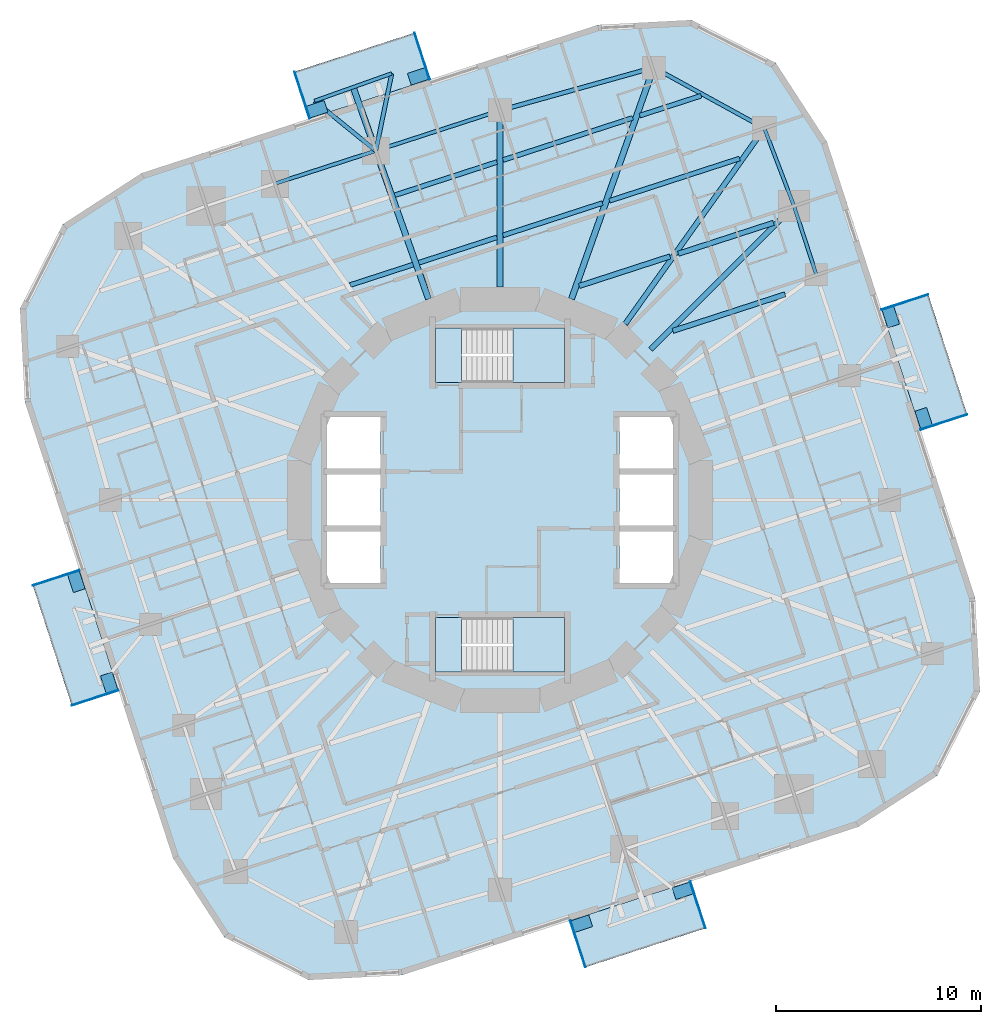
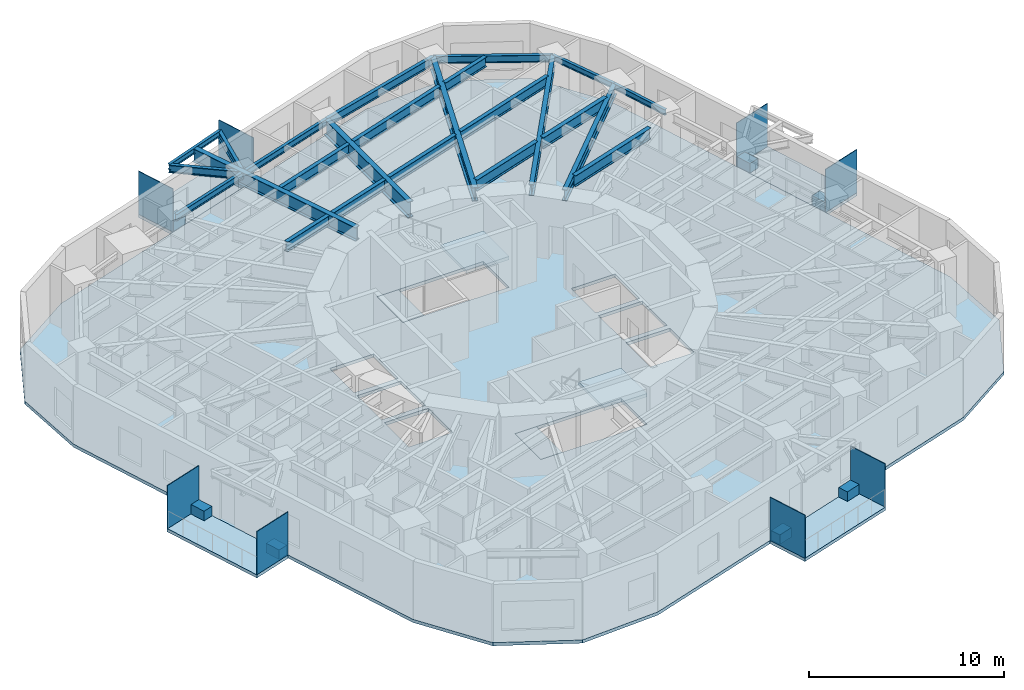
# One storey, part 3 of 13: 24 beams, 16 plates, 9 slabs, 2 elements without a shape of their own.
"""IFC4 building model written with IfcOpenShell, lengths in metres."""

from ifc_helpers import new_model, si_unit, direction, frame, origin, origin_2d, place, context, subcontext, project, spatial, polyline, rectangle, i_section, outline, extrude, material, layer, layer_set, material_profile, profile_set, type_object, element, aggregate, save


model = new_model("IFC4")

# Units and contexts
model_context = context("Model", 3, precision=1e-05, world=origin(), true_north=direction((0.0, 1.0)))
body_context = subcontext(model_context, "Body", "Model", "MODEL_VIEW")
ifc_project = project(units=[si_unit("LENGTHUNIT", "METRE"), si_unit("AREAUNIT", "SQUARE_METRE"), si_unit("VOLUMEUNIT", "CUBIC_METRE"), si_unit("PLANEANGLEUNIT", "RADIAN"), si_unit("MASSUNIT", "GRAM", prefix="KILO")], contexts=[model_context])

# Site, building, storey
site_placement = place(None, origin())
site = spatial("IfcSite", under=ifc_project, at=site_placement, CompositionType="ELEMENT")
building_placement = place(site_placement, origin())
building = spatial("IfcBuilding", under=site, at=building_placement, Name="Nakasero Lantern House", CompositionType="ELEMENT")
storey_placement = place(building_placement, frame((0.0, 0.0, 157.199951171875)))
storey = spatial("IfcBuildingStorey", under=building, at=storey_placement, Name="L38", CompositionType="ELEMENT", Elevation=157.199951171875)

# Beams
ifc_material_1 = material(Name="Steel S355", Category="steel")
ifc_material_profile_1 = material_profile(ifc_material_1, i_section(OverallWidth=0.199462890625, OverallDepth=0.491943359375, WebThickness=0.01806640625, FlangeThickness=0.031982421875, FilletRadius=0.01025390625, at=origin_2d()), Name="UB 457x191x161")
ifc_profile_set_1 = profile_set([ifc_material_profile_1], Name="Steel S355")
beam_type_1 = type_object("IfcBeamType", Name="Balcony splay beam UB 457x191x161", PredefinedType="BEAM", material=ifc_profile_set_1)
for number, where, z_axis, x_axis, name in (
    (1, (-6.06591796875, 17.060546875, 3.404052734375), (-0.774864205236, 0.632127727159, 0.0), (-0.632127727159, -0.774864205236, 0.0), "Balcony splay beam L39 B4-C10A"),
    (2, (-6.06591796875, 17.060546875, 3.404052734375), (0.201831438605, 0.979420272605, 0.0), (-0.979420272605, 0.201831438605, 0.0), "Balcony splay beam L39 B4-C10B"),
):
    element("IfcBeam", number, at=place(storey_placement, frame(where, z_axis=z_axis, x_axis=x_axis)), inside=storey, type_object=beam_type_1, Name=name, PredefinedType="BEAM", context=body_context, shape_type="SweptSolid", body=[
        extrude(i_section(OverallWidth=0.199462890625, OverallDepth=0.491943359375, WebThickness=0.01806640625, FlangeThickness=0.031982421875, FilletRadius=0.01025390625, at=origin_2d()), origin(), (0.0, 0.0, 1.0), 3.858642578125),
    ])
ifc_material_2 = material(Name="Steel S355", Category="steel")
ifc_material_profile_2 = material_profile(ifc_material_2, i_section(OverallWidth=0.17138671875, OverallDepth=0.35498046875, WebThickness=0.00732421875, FlangeThickness=0.011474609375, FilletRadius=0.01025390625, at=origin_2d()), Name="UB 356x171x51")
ifc_profile_set_2 = profile_set([ifc_material_profile_2], Name="Steel S355")
beam_type_2 = type_object("IfcBeamType", Name="Balcony tie beam UB 356x171x51", PredefinedType="BEAM", material=ifc_profile_set_2)
beam_1_placement = place(storey_placement, frame((-9.055908203125, 19.499755859375, 3.47265625), z_axis=(0.942209124415, 0.335025321236, 0.0), x_axis=(-0.335025321236, 0.942209124415, 0.0)))
element("IfcBeam", 3, at=beam_1_placement, inside=storey, type_object=beam_type_2, Name="Balcony tie beam L39 B4-C10", PredefinedType="BEAM", context=body_context, shape_type="SweptSolid", body=[
    extrude(i_section(OverallWidth=0.17138671875, OverallDepth=0.35498046875, WebThickness=0.00732421875, FlangeThickness=0.011474609375, FilletRadius=0.01025390625, at=origin_2d()), origin(), (0.0, 0.0, 1.0), 4.0),
])
ifc_material_3 = material(Name="Steel S355", Category="steel")
ifc_material_profile_3 = material_profile(ifc_material_3, i_section(OverallWidth=0.22900390625, OverallDepth=0.6123046875, WebThickness=0.011962890625, FlangeThickness=0.01953125, FilletRadius=0.0126953125, at=origin_2d()), Name="UB 610x229x125")
ifc_profile_set_3 = profile_set([ifc_material_profile_3], Name="Steel S355")
beam_type_3 = type_object("IfcBeamType", Name="Infill beam UB 610x229x125", PredefinedType="JOIST", material=ifc_profile_set_3)
beam_2_placement = place(storey_placement, frame((-7.31396484375, 10.50390625, 3.343994140625), z_axis=(0.951054080044, 0.309024492283, 0.0), x_axis=(-0.309024492283, 0.951054080044, 0.0)))
element("IfcBeam", 4, at=beam_2_placement, inside=storey, type_object=beam_type_3, Name="Infill beam L39 11.5", PredefinedType="JOIST", context=body_context, shape_type="SweptSolid", body=[
    extrude(i_section(OverallWidth=0.22900390625, OverallDepth=0.6123046875, WebThickness=0.011962890625, FlangeThickness=0.01953125, FilletRadius=0.0126953125, at=origin_2d()), origin(), (0.0, 0.0, 1.0), 3.227294921875),
])
beam_3_placement = place(storey_placement, frame((-3.96630859375, 11.591796875, 3.343994140625), z_axis=(0.95105910343, 0.309009031878, 0.0), x_axis=(-0.309009031878, 0.95105910343, 0.0)))
element("IfcBeam", 5, at=beam_3_placement, inside=storey, type_object=beam_type_3, Name="Infill beam L39 11.6", PredefinedType="JOIST", context=body_context, shape_type="SweptSolid", body=[
    extrude(i_section(OverallWidth=0.22900390625, OverallDepth=0.6123046875, WebThickness=0.011962890625, FlangeThickness=0.01953125, FilletRadius=0.0126953125, at=origin_2d()), origin(), (0.0, 0.0, 1.0), 4.0126953125),
])
beam_4_placement = place(storey_placement, frame((0.14990234375, 12.92919921875, 3.343994140625), z_axis=(0.951057977144, 0.309012498309, 0.0), x_axis=(-0.309012498309, 0.951057977144, 0.0)))
element("IfcBeam", 6, at=beam_4_placement, inside=storey, type_object=beam_type_3, Name="Infill beam L39 11.7", PredefinedType="JOIST", context=body_context, shape_type="SweptSolid", body=[
    extrude(i_section(OverallWidth=0.22900390625, OverallDepth=0.6123046875, WebThickness=0.011962890625, FlangeThickness=0.01953125, FilletRadius=0.0126953125, at=origin_2d()), origin(), (0.0, 0.0, 1.0), 5.102294921875),
])
beam_5_placement = place(storey_placement, frame((5.353271484375, 14.619873046875, 3.343994140625), z_axis=(0.951056080098, 0.30901833685, 0.0), x_axis=(-0.30901833685, 0.951056080098, 0.0)))
element("IfcBeam", 7, at=beam_5_placement, inside=storey, type_object=beam_type_3, Name="Infill beam L39 11.8", PredefinedType="JOIST", context=body_context, shape_type="SweptSolid", body=[
    extrude(i_section(OverallWidth=0.22900390625, OverallDepth=0.6123046875, WebThickness=0.011962890625, FlangeThickness=0.01953125, FilletRadius=0.0126953125, at=origin_2d()), origin(), (0.0, 0.0, 1.0), 6.68310546875),
])
beam_6_placement = place(storey_placement, frame((-5.139404296875, 14.890625, 3.343994140625), z_axis=(0.951061765699, 0.309000837904, 0.0), x_axis=(-0.309000837904, 0.951061765699, 0.0)))
element("IfcBeam", 8, at=beam_6_placement, inside=storey, type_object=beam_type_3, Name="Infill beam L39 12.5", PredefinedType="JOIST", context=body_context, shape_type="SweptSolid", body=[
    extrude(i_section(OverallWidth=0.22900390625, OverallDepth=0.6123046875, WebThickness=0.011962890625, FlangeThickness=0.01953125, FilletRadius=0.0126953125, at=origin_2d()), origin(), (0.0, 0.0, 1.0), 5.246337890625),
])
beam_7_placement = place(storey_placement, frame((0.14990234375, 16.609375, 3.343994140625), z_axis=(0.951068556075, 0.308979937287, 0.0), x_axis=(-0.308979937287, 0.951068556075, 0.0)))
element("IfcBeam", 9, at=beam_7_placement, inside=storey, type_object=beam_type_3, Name="Infill beam L39 12.6", PredefinedType="JOIST", context=body_context, shape_type="SweptSolid", body=[
    extrude(i_section(OverallWidth=0.22900390625, OverallDepth=0.6123046875, WebThickness=0.011962890625, FlangeThickness=0.01953125, FilletRadius=0.0126953125, at=origin_2d()), origin(), (0.0, 0.0, 1.0), 6.65771484375),
])
beam_8_placement = place(storey_placement, frame((6.832763671875, 18.780517578125, 3.343994140625), z_axis=(0.951054602662, 0.309022883872, 0.0), x_axis=(-0.309022883872, 0.951054602662, 0.0)))
element("IfcBeam", 10, at=beam_8_placement, inside=storey, type_object=beam_type_3, Name="Infill beam L39 12.7", PredefinedType="JOIST", context=body_context, shape_type="SweptSolid", body=[
    extrude(i_section(OverallWidth=0.22900390625, OverallDepth=0.6123046875, WebThickness=0.011962890625, FlangeThickness=0.01953125, FilletRadius=0.0126953125, at=origin_2d()), origin(), (0.0, 0.0, 1.0), 3.145263671875),
])
ifc_material_4 = material(Name="Steel S355", Category="steel")
ifc_material_profile_4 = material_profile(ifc_material_4, i_section(OverallWidth=0.253662109375, OverallDepth=0.68359375, WebThickness=0.012451171875, FlangeThickness=0.01904296875, FilletRadius=0.01513671875, at=origin_2d()), Name="UB 686x254x140")
ifc_profile_set_4 = profile_set([ifc_material_profile_4], Name="Steel S355")
beam_type_4 = type_object("IfcBeamType", Name="Infill beam UB 686x254x140", PredefinedType="JOIST", material=ifc_profile_set_4)
beam_9_placement = place(storey_placement, frame((8.44287109375, 8.263427734375, 3.308349609375), z_axis=(0.951055211673, 0.309021009559, 0.0), x_axis=(-0.309021009559, 0.951055211673, 0.0)))
element("IfcBeam", 11, at=beam_9_placement, inside=storey, type_object=beam_type_4, Name="Infill beam L39 09.2", PredefinedType="JOIST", context=body_context, shape_type="SweptSolid", body=[
    extrude(i_section(OverallWidth=0.253662109375, OverallDepth=0.68359375, WebThickness=0.012451171875, FlangeThickness=0.01904296875, FilletRadius=0.01513671875, at=origin_2d()), origin(), (0.0, 0.0, 1.0), 5.769775390625),
])
beam_10_placement = place(storey_placement, frame((3.8740234375, 10.458984375, 3.308349609375), z_axis=(0.95106063111, 0.309004329989, 0.0), x_axis=(-0.309004329989, 0.95106063111, 0.0)))
element("IfcBeam", 12, at=beam_10_placement, inside=storey, type_object=beam_type_4, Name="Infill beam L39 10.3", PredefinedType="JOIST", context=body_context, shape_type="SweptSolid", body=[
    extrude(i_section(OverallWidth=0.253662109375, OverallDepth=0.68359375, WebThickness=0.012451171875, FlangeThickness=0.01904296875, FilletRadius=0.01513671875, at=origin_2d()), origin(), (0.0, 0.0, 1.0), 4.659912109375),
])
beam_11_placement = place(storey_placement, frame((8.710693359375, 12.030517578125, 3.308349609375), z_axis=(0.951061574069, 0.309001427713, 0.0), x_axis=(-0.309001427713, 0.951061574069, 0.0)))
element("IfcBeam", 13, at=beam_11_placement, inside=storey, type_object=beam_type_4, Name="Infill beam L39 10.4", PredefinedType="JOIST", context=body_context, shape_type="SweptSolid", body=[
    extrude(i_section(OverallWidth=0.253662109375, OverallDepth=0.68359375, WebThickness=0.012451171875, FlangeThickness=0.01904296875, FilletRadius=0.01513671875, at=origin_2d()), origin(), (0.0, 0.0, 1.0), 4.8916015625),
])
ifc_material_5 = material(Name="Steel S355", Category="steel")
ifc_material_profile_5 = material_profile(ifc_material_5, i_section(OverallWidth=0.300048828125, OverallDepth=0.989990234375, WebThickness=0.0166015625, FlangeThickness=0.031005859375, FilletRadius=0.030029296875, at=origin_2d()), Name="UB 1016x305x272")
ifc_profile_set_5 = profile_set([ifc_material_profile_5], Name="Steel S355")
beam_type_5 = type_object("IfcBeamType", Name="Primary beam UB 1016x305x272, span 6 to 9 m", PredefinedType="BEAM", material=ifc_profile_set_5)
beam_12_placement = place(storey_placement, frame((0.0, 19.031494140625, 3.155029296875), z_axis=(0.0, -1.0, 0.0), x_axis=(1.0, 0.0, 0.0)))
element("IfcBeam", 14, at=beam_12_placement, inside=storey, type_object=beam_type_5, Name="Primary beam L39 B4-C09", PredefinedType="BEAM", context=body_context, shape_type="SweptSolid", body=[
    extrude(i_section(OverallWidth=0.300048828125, OverallDepth=0.989990234375, WebThickness=0.0166015625, FlangeThickness=0.031005859375, FilletRadius=0.030029296875, at=origin_2d()), origin(), (0.0, 0.0, 1.0), 8.62353515625),
])
ifc_material_6 = material(Name="Steel S355", Category="steel")
ifc_material_profile_6 = material_profile(ifc_material_6, i_section(OverallWidth=0.253662109375, OverallDepth=0.68359375, WebThickness=0.012451171875, FlangeThickness=0.01904296875, FilletRadius=0.01513671875, at=origin_2d()), Name="UB 686x254x140")
ifc_profile_set_6 = profile_set([ifc_material_profile_6], Name="Steel S355")
beam_type_6 = type_object("IfcBeamType", Name="Primary beam UB 686x254x140, span 9 to 12 m", PredefinedType="BEAM", material=ifc_profile_set_6)
beam_13_placement = place(storey_placement, frame((14.3642578125, 14.3642578125, 3.308349609375), z_axis=(-0.707106781187, -0.707106781187, 0.0), x_axis=(0.707106781187, -0.707106781187, 0.0)))
element("IfcBeam", 15, at=beam_13_placement, inside=storey, type_object=beam_type_6, Name="Primary beam L39 B4-C06", PredefinedType="BEAM", context=body_context, shape_type="SweptSolid", body=[
    extrude(i_section(OverallWidth=0.253662109375, OverallDepth=0.68359375, WebThickness=0.012451171875, FlangeThickness=0.01904296875, FilletRadius=0.01513671875, at=origin_2d()), origin(), (0.0, 0.0, 1.0), 9.906494140625),
])
beam_14_placement = place(storey_placement, frame((12.916015625, 18.1630859375, 3.308349609375), z_axis=(-0.579530236062, -0.814950738075, 0.0), x_axis=(0.814950738075, -0.579530236062, 0.0)))
element("IfcBeam", 16, at=beam_14_placement, inside=storey, type_object=beam_type_6, Name="Primary beam L39 B4-C07", PredefinedType="BEAM", context=body_context, shape_type="SweptSolid", body=[
    extrude(i_section(OverallWidth=0.253662109375, OverallDepth=0.68359375, WebThickness=0.012451171875, FlangeThickness=0.01904296875, FilletRadius=0.01513671875, at=origin_2d()), origin(), (0.0, 0.0, 1.0), 11.73193359375),
])
ifc_material_7 = material(Name="Steel S355", Category="steel")
ifc_material_profile_7 = material_profile(ifc_material_7, i_section(OverallWidth=0.29248046875, OverallDepth=0.8408203125, WebThickness=0.0146484375, FlangeThickness=0.02685546875, FilletRadius=0.017822265625, at=origin_2d()), Name="UB 838x292x194")
ifc_profile_set_7 = profile_set([ifc_material_profile_7], Name="Steel S355")
beam_type_7 = type_object("IfcBeamType", Name="Primary beam UB 838x292x194, span 12 to 15 m", PredefinedType="BEAM", material=ifc_profile_set_7)
beam_15_placement = place(storey_placement, frame((7.5126953125, 21.129638671875, 3.229736328125), z_axis=(-0.335012877559, -0.942213548974, 0.0), x_axis=(0.942213548974, -0.335012877559, 0.0)))
element("IfcBeam", 17, at=beam_15_placement, inside=storey, type_object=beam_type_7, Name="Primary beam L39 B4-C08", PredefinedType="BEAM", context=body_context, shape_type="SweptSolid", body=[
    extrude(i_section(OverallWidth=0.29248046875, OverallDepth=0.8408203125, WebThickness=0.0146484375, FlangeThickness=0.02685546875, FilletRadius=0.017822265625, at=origin_2d()), origin(), (0.0, 0.0, 1.0), 12.00390625),
])
ifc_material_8 = material(Name="Steel S355", Category="steel")
ifc_material_profile_8 = material_profile(ifc_material_8, i_section(OverallWidth=0.29248046875, OverallDepth=0.8408203125, WebThickness=0.0146484375, FlangeThickness=0.02685546875, FilletRadius=0.017822265625, at=origin_2d()), Name="UB 838x292x194")
ifc_profile_set_8 = profile_set([ifc_material_profile_8], Name="Steel S355")
beam_type_8 = type_object("IfcBeamType", Name="Primary beam UB 838x292x194, span 6 to 9 m", PredefinedType="BEAM", material=ifc_profile_set_8)
beam_16_placement = place(storey_placement, frame((-7.17138671875, 20.169921875, 3.229736328125), z_axis=(0.335007036998, -0.942215625619, 0.0), x_axis=(0.942215625619, 0.335007036998, 0.0)))
element("IfcBeam", 18, at=beam_16_placement, inside=storey, type_object=beam_type_8, Name="Primary beam L39 B4-C10", PredefinedType="BEAM", context=body_context, shape_type="SweptSolid", body=[
    extrude(i_section(OverallWidth=0.29248046875, OverallDepth=0.8408203125, WebThickness=0.0146484375, FlangeThickness=0.02685546875, FilletRadius=0.017822265625, at=origin_2d()), origin(), (0.0, 0.0, 1.0), 10.9853515625),
])
ifc_material_9 = material(Name="Steel S355", Category="steel")
ifc_material_profile_9 = material_profile(ifc_material_9, i_section(OverallWidth=0.17138671875, OverallDepth=0.35498046875, WebThickness=0.00732421875, FlangeThickness=0.011474609375, FilletRadius=0.01025390625, at=origin_2d()), Name="UB 356x171x51")
ifc_profile_set_9 = profile_set([ifc_material_profile_9], Name="Steel S355")
beam_type_9 = type_object("IfcBeamType", Name="Ring beam UB 356x171x51", PredefinedType="BEAM", material=ifc_profile_set_9)
beam_17_placement = place(storey_placement, frame((15.45947265625, 10.993408203125, 3.47265625), z_axis=(-0.309006636447, 0.951059881727, 0.0), x_axis=(-0.951059881727, -0.309006636447, 0.0)))
element("IfcBeam", 19, at=beam_17_placement, inside=storey, type_object=beam_type_9, Name="Ring beam L39 B4-C05", PredefinedType="BEAM", context=body_context, shape_type="SweptSolid", body=[
    extrude(i_section(OverallWidth=0.17138671875, OverallDepth=0.35498046875, WebThickness=0.00732421875, FlangeThickness=0.011474609375, FilletRadius=0.01025390625, at=origin_2d()), origin(), (0.0, 0.0, 1.0), 3.544189453125),
])
beam_18_placement = place(storey_placement, frame((14.3642578125, 14.3642578125, 3.47265625), z_axis=(-0.35622505813, 0.934400186194, 0.0), x_axis=(-0.934400186194, -0.35622505813, 0.0)))
element("IfcBeam", 20, at=beam_18_placement, inside=storey, type_object=beam_type_9, Name="Ring beam L39 B4-C06", PredefinedType="BEAM", context=body_context, shape_type="SweptSolid", body=[
    extrude(i_section(OverallWidth=0.17138671875, OverallDepth=0.35498046875, WebThickness=0.00732421875, FlangeThickness=0.011474609375, FilletRadius=0.01025390625, at=origin_2d()), origin(), (0.0, 0.0, 1.0), 4.0654296875),
])
ifc_material_10 = material(Name="Steel S355", Category="steel")
ifc_material_profile_10 = material_profile(ifc_material_10, i_section(OverallWidth=0.177978515625, OverallDepth=0.406494140625, WebThickness=0.0078125, FlangeThickness=0.0126953125, FilletRadius=0.01025390625, at=origin_2d()), Name="UB 406x178x60")
ifc_profile_set_10 = profile_set([ifc_material_profile_10], Name="Steel S355")
beam_type_10 = type_object("IfcBeamType", Name="Ring beam UB 406x178x60", PredefinedType="BEAM", material=ifc_profile_set_10)
beam_19_placement = place(storey_placement, frame((-6.06591796875, 17.060546875, 3.44677734375), z_axis=(-0.95105449754, -0.309023207396, 0.0), x_axis=(0.309023207396, -0.95105449754, 0.0)))
element("IfcBeam", 21, at=beam_19_placement, inside=storey, type_object=beam_type_10, Name="Ring beam L39 B4-C10", PredefinedType="BEAM", context=body_context, shape_type="SweptSolid", body=[
    extrude(i_section(OverallWidth=0.177978515625, OverallDepth=0.406494140625, WebThickness=0.0078125, FlangeThickness=0.0126953125, FilletRadius=0.01025390625, at=origin_2d()), origin(), (0.0, 0.0, 1.0), 5.18115234375),
])
ifc_material_11 = material(Name="Steel S355", Category="steel")
ifc_material_profile_11 = material_profile(ifc_material_11, i_section(OverallWidth=0.179443359375, OverallDepth=0.412841796875, WebThickness=0.009521484375, FlangeThickness=0.01611328125, FilletRadius=0.01025390625, at=origin_2d()), Name="UB 406x178x74")
ifc_profile_set_11 = profile_set([ifc_material_profile_11], Name="Steel S355")
beam_type_11 = type_object("IfcBeamType", Name="Ring beam UB 406x178x74", PredefinedType="BEAM", material=ifc_profile_set_11)
beam_20_placement = place(storey_placement, frame((0.0, 19.031494140625, 3.443603515625), z_axis=(-0.951056007502, -0.309018560274, 0.0), x_axis=(0.309018560274, -0.951056007502, 0.0)))
element("IfcBeam", 22, at=beam_20_placement, inside=storey, type_object=beam_type_11, Name="Ring beam L39 B4-C09", PredefinedType="BEAM", context=body_context, shape_type="SweptSolid", body=[
    extrude(i_section(OverallWidth=0.179443359375, OverallDepth=0.412841796875, WebThickness=0.009521484375, FlangeThickness=0.01611328125, FilletRadius=0.01025390625, at=origin_2d()), origin(), (0.0, 0.0, 1.0), 6.378173828125),
])
ifc_material_12 = material(Name="Steel S355", Category="steel")
ifc_material_profile_12 = material_profile(ifc_material_12, i_section(OverallWidth=0.18994140625, OverallDepth=0.453369140625, WebThickness=0.008544921875, FlangeThickness=0.0126953125, FilletRadius=0.01025390625, at=origin_2d()), Name="UB 457x191x67")
ifc_profile_set_12 = profile_set([ifc_material_profile_12], Name="Steel S355")
beam_type_12 = type_object("IfcBeamType", Name="Ring beam UB 457x191x67", PredefinedType="BEAM", material=ifc_profile_set_12)
beam_21_placement = place(storey_placement, frame((12.916015625, 18.1630859375, 3.42333984375), z_axis=(-0.876576912681, 0.481261795861, 0.0), x_axis=(-0.481261795861, -0.876576912681, 0.0)))
element("IfcBeam", 23, at=beam_21_placement, inside=storey, type_object=beam_type_12, Name="Ring beam L39 B4-C07", PredefinedType="BEAM", context=body_context, shape_type="SweptSolid", body=[
    extrude(i_section(OverallWidth=0.18994140625, OverallDepth=0.453369140625, WebThickness=0.008544921875, FlangeThickness=0.0126953125, FilletRadius=0.01025390625, at=origin_2d()), origin(), (0.0, 0.0, 1.0), 6.1640625),
])
ifc_material_13 = material(Name="Steel S355", Category="steel")
ifc_material_profile_13 = material_profile(ifc_material_13, i_section(OverallWidth=0.208740234375, OverallDepth=0.5283203125, WebThickness=0.009521484375, FlangeThickness=0.01318359375, FilletRadius=0.0126953125, at=origin_2d()), Name="UB 533x210x82")
ifc_profile_set_13 = profile_set([ifc_material_profile_13], Name="Steel S355")
beam_type_13 = type_object("IfcBeamType", Name="Ring beam UB 533x210x82", PredefinedType="BEAM", material=ifc_profile_set_13)
beam_22_placement = place(storey_placement, frame((7.5126953125, 21.129638671875, 3.385986328125), z_axis=(-0.963143892339, -0.268986696047, 0.0), x_axis=(0.268986696047, -0.963143892339, 0.0)))
element("IfcBeam", 24, at=beam_22_placement, inside=storey, type_object=beam_type_13, Name="Ring beam L39 B4-C08", PredefinedType="BEAM", context=body_context, shape_type="SweptSolid", body=[
    extrude(i_section(OverallWidth=0.208740234375, OverallDepth=0.5283203125, WebThickness=0.009521484375, FlangeThickness=0.01318359375, FilletRadius=0.0126953125, at=origin_2d()), origin(), (0.0, 0.0, 1.0), 7.80029296875),
])

# Plates
ifc_material_14 = material(Name="Aluminium 6063-T6", Category="aluminium")
ifc_layer_1 = layer(ifc_material_14, 0.60009765625)
ifc_layer_set_1 = layer_set([ifc_layer_1], Name="Balcony planter 600x900")
plate_type_1 = type_object("IfcPlateType", Name="Balcony planter 600x900", PredefinedType="USERDEFINED", material=ifc_layer_set_1)
for number, where, z_axis, x_axis, name in (
    (25, (20.696533203125, 4.00146484375, 0.0), (0.0, 0.0, 1.0), (0.951056516295, 0.309016994375, 0.0), "Balcony PLANTER L38 BAL0A"),
    (26, (19.095703125, 8.927978515625, 0.0), (0.0, 0.0, 1.0), (0.951056516295, 0.309016994375, 0.0), "Balcony PLANTER L38 BAL0B"),
    (27, (-4.00146484375, 20.696533203125, 0.0), (0.0, 0.0, 1.0), (-0.309016994375, 0.951056516295, 0.0), "Balcony PLANTER L38 BAL1A"),
    (28, (-8.927978515625, 19.095703125, 0.0), (0.0, 0.0, 1.0), (-0.309016994375, 0.951056516295, 0.0), "Balcony PLANTER L38 BAL1B"),
    (29, (-20.696533203125, -4.00146484375, 0.0), (0.0, 0.0, 1.0), (-0.951056516295, -0.309016994375, 0.0), "Balcony PLANTER L38 BAL2A"),
    (30, (-19.095703125, -8.927978515625, 0.0), (0.0, 0.0, 1.0), (-0.951056516295, -0.309016994375, 0.0), "Balcony PLANTER L38 BAL2B"),
    (31, (4.00146484375, -20.696533203125, 0.0), (0.0, 0.0, 1.0), (0.309016994375, -0.951056516295, 0.0), "Balcony PLANTER L38 BAL3A"),
    (32, (8.927978515625, -19.095703125, 0.0), (0.0, 0.0, 1.0), (0.309016994375, -0.951056516295, 0.0), "Balcony PLANTER L38 BAL3B"),
):
    element("IfcPlate", number, at=place(storey_placement, frame(where, z_axis=z_axis, x_axis=x_axis)), inside=storey, type_object=plate_type_1, Name=name, ObjectType="PLANTER", PredefinedType="USERDEFINED", context=body_context, shape_type="SweptSolid", body=[
        extrude(rectangle(XDim=0.60009765625, YDim=0.89990234375, at=origin_2d()), origin(), (0.0, 0.0, 1.0), 0.60009765625),
    ])
ifc_material_15 = material(Name="Aluminium 6063-T6", Category="aluminium")
ifc_layer_2 = layer(ifc_material_15, 0.0400390625)
ifc_layer_set_2 = layer_set([ifc_layer_2], Name="Balcony screen 2400x2700")
plate_type_2 = type_object("IfcPlateType", Name="Balcony screen 2400x2700", PredefinedType="SHEET", material=ifc_layer_set_2)
for number, where, z_axis, x_axis, name in (
    (33, (21.684814453125, 3.807373046875, 0.0), (0.0, 0.0, 1.0), (0.951056516295, 0.309016994375, 0.0), "Balcony SCREEN L38 BAL0A"),
    (34, (19.78125, 9.665771484375, 0.0), (0.0, 0.0, 1.0), (0.951056516295, 0.309016994375, 0.0), "Balcony SCREEN L38 BAL0B"),
    (35, (-3.807373046875, 21.684814453125, 0.0), (0.0, 0.0, 1.0), (-0.309016994375, 0.951056516295, 0.0), "Balcony SCREEN L38 BAL1A"),
    (36, (-9.665771484375, 19.78125, 0.0), (0.0, 0.0, 1.0), (-0.309016994375, 0.951056516295, 0.0), "Balcony SCREEN L38 BAL1B"),
    (37, (-21.684814453125, -3.807373046875, 0.0), (0.0, 0.0, 1.0), (-0.951056516295, -0.309016994375, 0.0), "Balcony SCREEN L38 BAL2A"),
    (38, (-19.78125, -9.665771484375, 0.0), (0.0, 0.0, 1.0), (-0.951056516295, -0.309016994375, 0.0), "Balcony SCREEN L38 BAL2B"),
    (39, (3.807373046875, -21.684814453125, 0.0), (0.0, 0.0, 1.0), (0.309016994375, -0.951056516295, 0.0), "Balcony SCREEN L38 BAL3A"),
    (40, (9.665771484375, -19.78125, 0.0), (0.0, 0.0, 1.0), (0.309016994375, -0.951056516295, 0.0), "Balcony SCREEN L38 BAL3B"),
):
    element("IfcPlate", number, at=place(storey_placement, frame(where, z_axis=z_axis, x_axis=x_axis)), inside=storey, type_object=plate_type_2, Name=name, PredefinedType="SHEET", context=body_context, shape_type="SweptSolid", body=[
        extrude(rectangle(XDim=2.39990234375, YDim=0.0400390625, at=origin_2d()), origin(), (0.0, 0.0, 1.0), 2.699951171875),
    ])

# Slabs
ifc_material_16 = material(Name="Concrete C35/45", Category="concrete")
ifc_layer_3 = layer(ifc_material_16, 0.199951171875)
ifc_layer_set_3 = layer_set([ifc_layer_3], Name="Balcony slab 200")
slab_type_1 = type_object("IfcSlabType", Name="Balcony slab 200", PredefinedType="USERDEFINED", material=ifc_layer_set_3)
slab_1_placement = place(storey_placement, frame((0.0, 0.0, -0.199951171875)))
element("IfcSlab", 41, at=slab_1_placement, inside=storey, type_object=slab_type_1, Name="Balcony L38 BAL0", ObjectType="BALCONY", PredefinedType="USERDEFINED", context=body_context, shape_type="SweptSolid", body=[
    extrude(outline(polyline([(20.5498046875, 3.41748046875), (22.832275390625, 4.1591796875), (20.916259765625, 10.0556640625), (18.6337890625, 9.31396484375), (20.5498046875, 3.41748046875)])), origin(), (0.0, 0.0, 1.0), 0.199951171875),
])
slab_2_placement = place(storey_placement, frame((0.0, 0.0, -0.199951171875)))
element("IfcSlab", 42, at=slab_2_placement, inside=storey, type_object=slab_type_1, Name="Balcony L38 BAL1", ObjectType="BALCONY", PredefinedType="USERDEFINED", context=body_context, shape_type="SweptSolid", body=[
    extrude(outline(polyline([(-3.41748046875, 20.5498046875), (-4.1591796875, 22.832275390625), (-10.0556640625, 20.916259765625), (-9.31396484375, 18.6337890625), (-3.41748046875, 20.5498046875)])), origin(), (0.0, 0.0, 1.0), 0.199951171875),
])
slab_3_placement = place(storey_placement, frame((0.0, 0.0, -0.199951171875)))
element("IfcSlab", 43, at=slab_3_placement, inside=storey, type_object=slab_type_1, Name="Balcony L38 BAL2", ObjectType="BALCONY", PredefinedType="USERDEFINED", context=body_context, shape_type="SweptSolid", body=[
    extrude(outline(polyline([(-20.5498046875, -3.41748046875), (-22.832275390625, -4.1591796875), (-20.916259765625, -10.0556640625), (-18.6337890625, -9.31396484375), (-20.5498046875, -3.41748046875)])), origin(), (0.0, 0.0, 1.0), 0.199951171875),
])
slab_4_placement = place(storey_placement, frame((0.0, 0.0, -0.199951171875)))
element("IfcSlab", 44, at=slab_4_placement, inside=storey, type_object=slab_type_1, Name="Balcony L38 BAL3", ObjectType="BALCONY", PredefinedType="USERDEFINED", context=body_context, shape_type="SweptSolid", body=[
    extrude(outline(polyline([(3.41748046875, -20.5498046875), (4.1591796875, -22.832275390625), (10.0556640625, -20.916259765625), (9.31396484375, -18.6337890625), (3.41748046875, -20.5498046875)])), origin(), (0.0, 0.0, 1.0), 0.199951171875),
])
ifc_material_17 = material(Name="Concrete C35/45", Category="concrete")
ifc_layer_4 = layer(ifc_material_17, 0.199951171875)
ifc_layer_set_4 = layer_set([ifc_layer_4], Name="Composite floor slab 200")
slab_type_2 = type_object("IfcSlabType", Name="Composite floor slab 200", PredefinedType="FLOOR", material=ifc_layer_set_4)
slab_5_placement = place(storey_placement, frame((0.0, 0.0, -0.199951171875)))
element("IfcSlab", 45, at=slab_5_placement, inside=storey, type_object=slab_type_2, Name="Floor slab L38", PredefinedType="FLOOR", context=body_context, shape_type="SweptSolid", body=[
    extrude(outline(polyline([(15.976318359375, 17.4931640625), (13.467041015625, 21.35693359375), (9.3623046875, 23.448486328125), (4.76171875, 23.207275390625), (-17.4931640625, 15.976318359375), (-21.35693359375, 13.467041015625), (-23.448486328125, 9.3623046875), (-23.207275390625, 4.76171875), (-15.976318359375, -17.4931640625), (-13.467041015625, -21.35693359375), (-9.3623046875, -23.448486328125), (-4.76171875, -23.207275390625), (17.4931640625, -15.976318359375), (21.35693359375, -13.467041015625), (23.448486328125, -9.3623046875), (23.207275390625, -4.76171875), (15.976318359375, 17.4931640625)]), holes=[polyline([(-8.449951171875, -4.050048828125), (-5.85009765625, -4.050048828125), (-5.85009765625, -1.550048828125), (-8.449951171875, -1.550048828125), (-8.449951171875, -4.050048828125)]), polyline([(-8.449951171875, -1.25), (-5.85009765625, -1.25), (-5.85009765625, 1.25), (-8.449951171875, 1.25), (-8.449951171875, -1.25)]), polyline([(-8.449951171875, 1.550048828125), (-5.85009765625, 1.550048828125), (-5.85009765625, 4.050048828125), (-8.449951171875, 4.050048828125), (-8.449951171875, 1.550048828125)]), polyline([(5.85009765625, -4.050048828125), (8.449951171875, -4.050048828125), (8.449951171875, -1.550048828125), (5.85009765625, -1.550048828125), (5.85009765625, -4.050048828125)]), polyline([(5.85009765625, -1.25), (8.449951171875, -1.25), (8.449951171875, 1.25), (5.85009765625, 1.25), (5.85009765625, -1.25)]), polyline([(5.85009765625, 1.550048828125), (8.449951171875, 1.550048828125), (8.449951171875, 4.050048828125), (5.85009765625, 4.050048828125), (5.85009765625, 1.550048828125)]), polyline([(-3.14990234375, 5.75), (3.14990234375, 5.75), (3.14990234375, 8.39990234375), (-3.14990234375, 8.39990234375), (-3.14990234375, 5.75)]), polyline([(-3.14990234375, -8.39990234375), (3.14990234375, -8.39990234375), (3.14990234375, -5.75), (-3.14990234375, -5.75), (-3.14990234375, -8.39990234375)])]), origin(), (0.0, 0.0, 1.0), 0.199951171875),
])

# Stair, slabs
ifc_material_18 = material(Name="Concrete C40/50", Category="concrete")
stair_type_1 = type_object("IfcStairType", Name="Escape stair ST1 22 risers", PredefinedType="HALF_TURN_STAIR", material=ifc_material_18)
stair_1_placement = place(storey_placement, origin())
stair_1 = element("IfcStair", 46, at=stair_1_placement, inside=storey, type_object=stair_type_1, Name="Escape stair ST1 L38", PredefinedType="HALF_TURN_STAIR")
ifc_material_19 = material(Name="Concrete C40/50", Category="concrete")
ifc_layer_5 = layer(ifc_material_19, 0.199951171875)
ifc_layer_set_5 = layer_set([ifc_layer_5], Name="Stair landing 200")
slab_type_3 = type_object("IfcSlabType", Name="Stair landing 200", PredefinedType="LANDING", material=ifc_layer_set_5)
slab_6_placement = place(storey_placement, frame((0.0, 0.0, -0.199951171875)))
slab_6 = element("IfcSlab", 47, at=slab_6_placement, type_object=slab_type_3, Name="ST1 landing 1", PredefinedType="LANDING", context=body_context, shape_type="SweptSolid", body=[
    extrude(outline(polyline([(-3.14990234375, 5.75), (-1.875, 5.75), (-1.875, 8.39990234375), (-3.14990234375, 8.39990234375), (-3.14990234375, 5.75)])), origin(), (0.0, 0.0, 1.0), 0.199951171875),
])
slab_7_placement = place(storey_placement, frame((0.0, 0.0, 1.72509765625)))
slab_7 = element("IfcSlab", 48, at=slab_7_placement, type_object=slab_type_3, Name="ST1 landing 2", PredefinedType="LANDING", context=body_context, shape_type="SweptSolid", body=[
    extrude(outline(polyline([(0.625, 5.75), (3.14990234375, 5.75), (3.14990234375, 8.39990234375), (0.625, 8.39990234375), (0.625, 5.75)])), origin(), (0.0, 0.0, 1.0), 0.199951171875),
])
aggregate(stair_1, [slab_6, slab_7])

ifc_material_20 = material(Name="Concrete C40/50", Category="concrete")
stair_type_2 = type_object("IfcStairType", Name="Escape stair ST2 22 risers", PredefinedType="HALF_TURN_STAIR", material=ifc_material_20)
stair_2_placement = place(storey_placement, origin())
stair_2 = element("IfcStair", 49, at=stair_2_placement, inside=storey, type_object=stair_type_2, Name="Escape stair ST2 L38", PredefinedType="HALF_TURN_STAIR")
slab_8_placement = place(storey_placement, frame((0.0, 0.0, -0.199951171875)))
slab_8 = element("IfcSlab", 50, at=slab_8_placement, type_object=slab_type_3, Name="ST2 landing 1", PredefinedType="LANDING", context=body_context, shape_type="SweptSolid", body=[
    extrude(outline(polyline([(-3.14990234375, -8.39990234375), (-1.875, -8.39990234375), (-1.875, -5.75), (-3.14990234375, -5.75), (-3.14990234375, -8.39990234375)])), origin(), (0.0, 0.0, 1.0), 0.199951171875),
])
slab_9_placement = place(storey_placement, frame((0.0, 0.0, 1.72509765625)))
slab_9 = element("IfcSlab", 51, at=slab_9_placement, type_object=slab_type_3, Name="ST2 landing 2", PredefinedType="LANDING", context=body_context, shape_type="SweptSolid", body=[
    extrude(outline(polyline([(0.625, -8.39990234375), (3.14990234375, -8.39990234375), (3.14990234375, -5.75), (0.625, -5.75), (0.625, -8.39990234375)])), origin(), (0.0, 0.0, 1.0), 0.199951171875),
])
aggregate(stair_2, [slab_8, slab_9])

save(model, "model.ifc")
